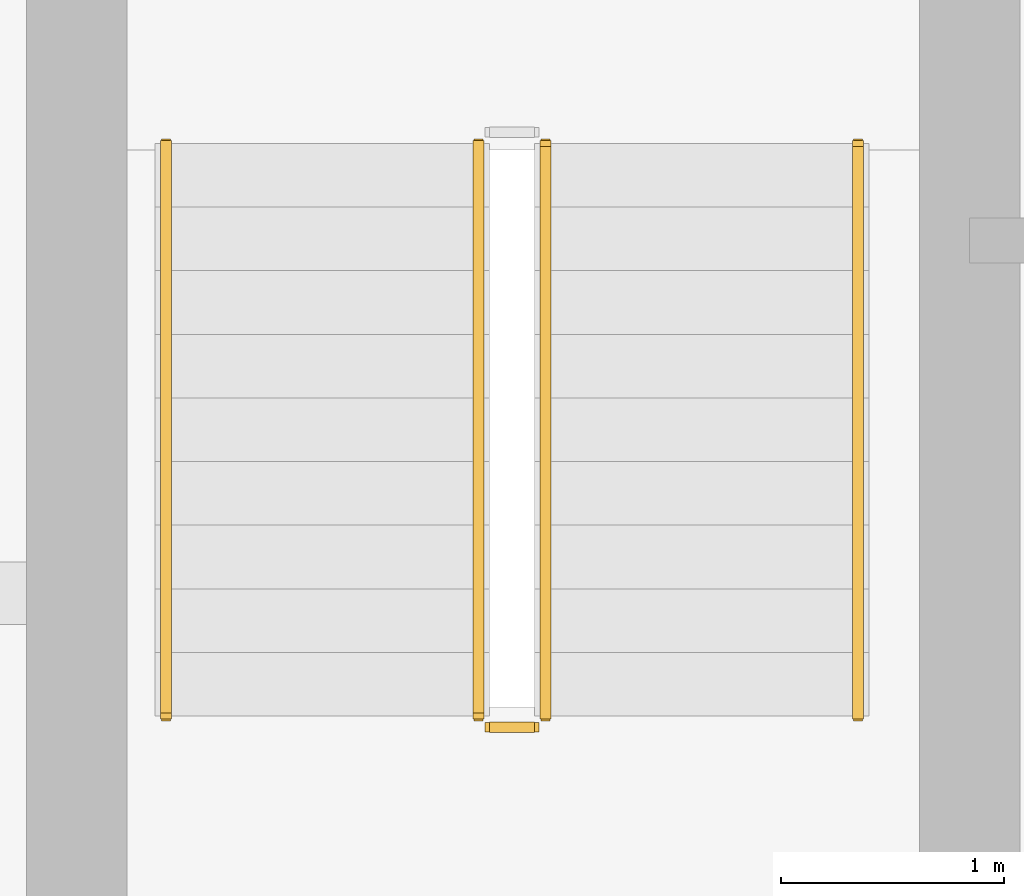
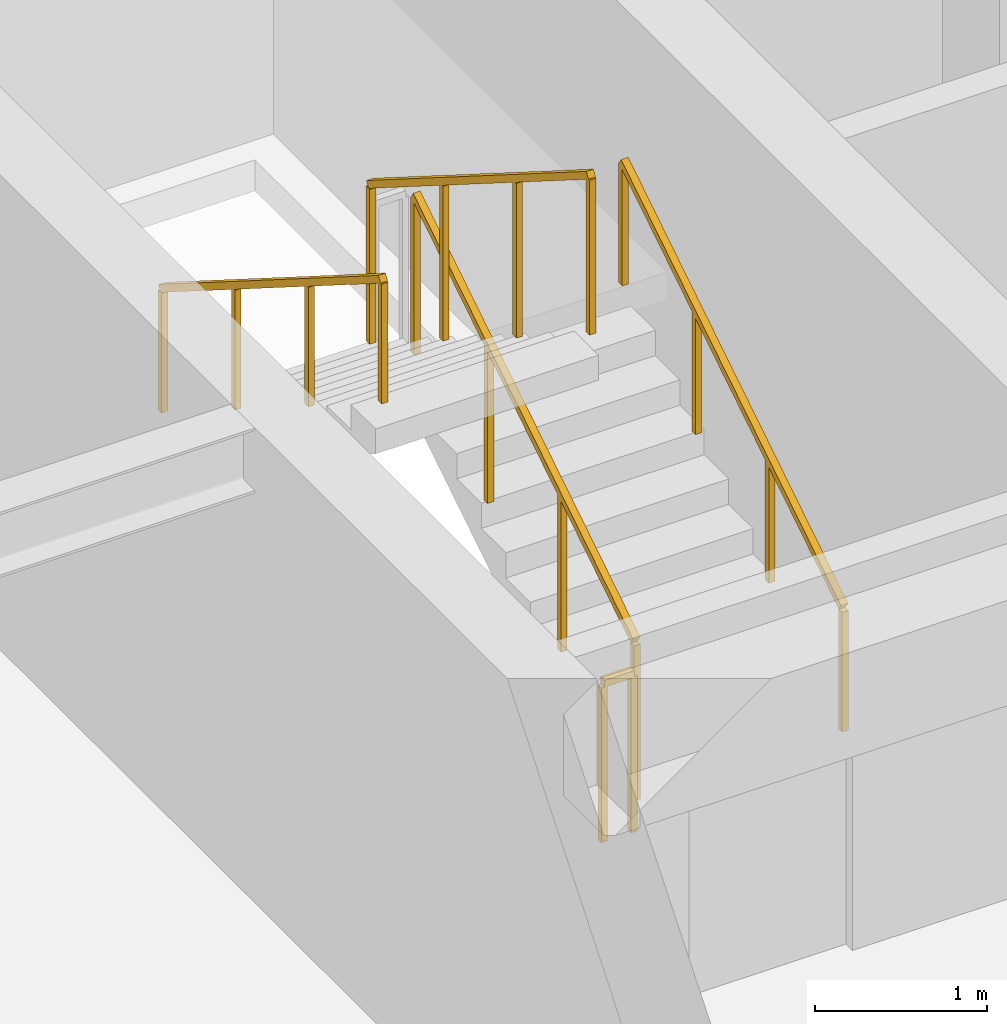
# One storey, part 26 of 28: 5 railings.
"""IFC4 building model written with IfcOpenShell, lengths in metres."""

import ifcopenshell
import ifcopenshell.guid

model = None  # the IFC model being written
_history = None  # IfcOwnerHistory: only IFC2X3 demands one
_inside = {}  # id of a spatial element -> (the spatial element, [elements in it])
_under = {}  # id of a project, library or spatial element -> (it, [spatial elements below it])
_declared = {}  # id of a project -> (the project, [libraries it declares])
_typed = {}  # id of a type object -> (the type object, [elements of that type])
_made_of = {}  # id of a material, layer set ... -> (it, [elements and type objects made of it])


def new_model(schema):
    """Start an empty IFC model of exactly this schema.

    Asked for "IFC4X3", IfcOpenShell would pick the latest addendum, in which some entities
    have other attributes; the version numbers below select the first issue.
    IFC2X3 requires an IfcOwnerHistory on every rooted entity: one is made here for all.
    """
    global model, _history
    if schema == "IFC4X3":
        model = ifcopenshell.file(schema_version=(4, 3, 0, 0))
    else:
        model = ifcopenshell.file(schema=schema)
    _inside.clear()
    _under.clear()
    _declared.clear()
    _typed.clear()
    _made_of.clear()
    _history = None
    if model.schema == "IFC2X3":
        org = make("IfcOrganization", Name="unknown")
        user = make(
            "IfcPersonAndOrganization",
            ThePerson=make("IfcPerson", FamilyName="unknown"),
            TheOrganization=org,
        )
        app = make(
            "IfcApplication",
            ApplicationDeveloper=org,
            Version="unknown",
            ApplicationFullName="unknown",
            ApplicationIdentifier="unknown",
        )
        _history = make(
            "IfcOwnerHistory",
            OwningUser=user,
            OwningApplication=app,
            ChangeAction="ADDED",
            CreationDate=0,
        )
    return model


def make(cls, **values):
    """One entity of the class cls with the attributes given. An attribute that is None is left unset."""
    return model.create_entity(
        cls, **{name: value for name, value in values.items() if value is not None}
    )


def rooted(cls, **values):
    """An entity with a GlobalId (a new one), such as an element, a storey or a relation."""
    return make(cls, GlobalId=ifcopenshell.guid.new(), OwnerHistory=_history, **values)


def si_unit(unit_type, name, prefix=None):
    """IfcSIUnit, for example si_unit("LENGTHUNIT", "METRE", prefix="MILLI")."""
    return make("IfcSIUnit", UnitType=unit_type, Prefix=prefix, Name=name)


def assignment(units):
    """IfcUnitAssignment: the units of a project."""
    return None if units is None else make("IfcUnitAssignment", Units=units)


def point(xyz):
    """IfcCartesianPoint."""
    return None if xyz is None else make("IfcCartesianPoint", Coordinates=xyz)


def direction(xyz):
    """IfcDirection."""
    return None if xyz is None else make("IfcDirection", DirectionRatios=xyz)


def frame(location, z_axis=None, x_axis=None):
    """IfcAxis2Placement3D, a coordinate frame: its origin and axes. An axis left out is left unset."""
    return make(
        "IfcAxis2Placement3D",
        Location=point(location),
        Axis=direction(z_axis),
        RefDirection=direction(x_axis),
    )


def frame_2d(location, x_axis=None):
    """IfcAxis2Placement2D, a coordinate frame in the plane: its origin and x axis."""
    return make(
        "IfcAxis2Placement2D", Location=point(location), RefDirection=direction(x_axis)
    )


def origin():
    """The frame at (0, 0, 0) with its axes left unset."""
    return frame((0.0, 0.0, 0.0))


def origin_2d():
    """The frame at (0, 0) in the plane with its x axis left unset."""
    return frame_2d((0.0, 0.0))


def place(relative_to, where):
    """IfcLocalPlacement: puts the frame where relative to a parent placement (None: the world)."""
    return make(
        "IfcLocalPlacement", PlacementRelTo=relative_to, RelativePlacement=where
    )


def context(
    kind, dimensions, precision=None, world=None, true_north=None, identifier=None
):
    """IfcGeometricRepresentationContext, for example the 3D "Model" context."""
    return make(
        "IfcGeometricRepresentationContext",
        ContextIdentifier=identifier,
        ContextType=kind,
        CoordinateSpaceDimension=dimensions,
        Precision=precision,
        WorldCoordinateSystem=world,
        TrueNorth=true_north,
    )


def subcontext(parent, identifier, kind, view, scale=None):
    """IfcGeometricRepresentationSubContext, for example "Body" below "Model"."""
    return make(
        "IfcGeometricRepresentationSubContext",
        ContextIdentifier=identifier,
        ContextType=kind,
        ParentContext=parent,
        TargetScale=scale,
        TargetView=view,
    )


def project(units=None, contexts=None):
    """IfcProject with its units and contexts."""
    return rooted(
        "IfcProject",
        Name="project",
        RepresentationContexts=contexts,
        UnitsInContext=assignment(units),
    )


def spatial(cls, under=None, at=None, **own):
    """A site, building, storey or space (cls), placed at a placement, below another one or the project."""
    s = rooted(cls, ObjectPlacement=at, **own)
    if under is not None:
        _under.setdefault(under.id(), (under, []))[1].append(s)
    return s


def profile(cls, at=None, kind="AREA", **sizes):
    """A parametric profile (cls). Its sizes go by their IFC names, for example OverallWidth=200.0."""
    return make(cls, ProfileType=kind, Position=at, **sizes)


def rectangle(**sizes):
    """IfcRectangleProfileDef."""
    return profile("IfcRectangleProfileDef", **sizes)


def extrude(swept, where, along, depth):
    """IfcExtrudedAreaSolid: the profile swept, set in the frame where, extruded along a direction by depth."""
    return make(
        "IfcExtrudedAreaSolid",
        SweptArea=swept,
        Position=where,
        ExtrudedDirection=direction(along),
        Depth=depth,
    )


def shape(context_of_items, identifier, shape_type, items):
    """IfcShapeRepresentation: the items that make up one representation, for example the "Body"."""
    return make(
        "IfcShapeRepresentation",
        ContextOfItems=context_of_items,
        RepresentationIdentifier=identifier,
        RepresentationType=shape_type,
        Items=items,
    )


def material(Name=None, Category=None):
    """IfcMaterial."""
    return make("IfcMaterial", Name=Name, Category=Category)


def made_of(thing, what):
    """Note that an element or type object is made of a material, layer set ...; save() writes the relation."""
    if what is not None:
        _made_of.setdefault(what.id(), (what, []))[1].append(thing)
    return thing


def type_object(cls, material=None, **own):
    """A type object (cls), such as IfcWallType, which elements share."""
    return made_of(rooted(cls, **own), material)


def element(
    cls,
    number,
    at=None,
    inside=None,
    cuts=None,
    type_object=None,
    material=None,
    context=None,
    identifier="Body",
    shape_type=None,
    held_by="IfcProductDefinitionShape",
    body=None,
    shapes=None,
    **own,
):
    """One element of the class cls, such as IfcWall. Its Tag is "e" and its number.

    at: its placement. inside: the storey or other place that contains it. cuts: it is an
    opening in that element (IfcRelVoidsElement). A single representation is given by context,
    identifier, shape_type and body (its items); several are given by shapes. held_by: the class
    of the entity that holds the representations. save() writes the other relations.
    """
    e = rooted(cls, Tag="e%d" % number, ObjectPlacement=at, **own)
    if body is not None:
        shapes = [shape(context, identifier, shape_type, body)]
    if shapes is not None:
        e.Representation = make(held_by, Representations=shapes)
    if inside is not None:
        _inside.setdefault(inside.id(), (inside, []))[1].append(e)
    if cuts is not None:
        rooted(
            "IfcRelVoidsElement", RelatingBuildingElement=cuts, RelatedOpeningElement=e
        )
    if type_object is not None:
        _typed.setdefault(type_object.id(), (type_object, []))[1].append(e)
    return made_of(e, material)


def aggregate(whole, parts):
    """IfcRelAggregates: a whole, such as a stair, and the parts it consists of."""
    return rooted("IfcRelAggregates", RelatingObject=whole, RelatedObjects=parts)


def save(model, path):
    """Write the relations noted so far, then the file.

    IfcRelAggregates (storeys below a building ...), IfcRelContainedInSpatialStructure (elements
    in a storey), IfcRelDefinesByType, IfcRelAssociatesMaterial and IfcRelDeclares: one each for
    every whole, place, type object, material and project.
    """
    for whole, parts in _under.values():
        aggregate(whole, parts)
    for where, things in _inside.values():
        rooted(
            "IfcRelContainedInSpatialStructure",
            RelatedElements=things,
            RelatingStructure=where,
        )
    for kind, things in _typed.values():
        rooted("IfcRelDefinesByType", RelatedObjects=things, RelatingType=kind)
    for what, things in _made_of.values():
        rooted("IfcRelAssociatesMaterial", RelatedObjects=things, RelatingMaterial=what)
    for by, libraries in _declared.values():
        rooted("IfcRelDeclares", RelatingContext=by, RelatedDefinitions=libraries)
    model.write(path)


model = new_model("IFC4")

# Units and contexts
model_context = context("Model", 3, precision=1e-05, world=origin(), true_north=direction((0.0, 1.0)))
body_context = subcontext(model_context, "Body", "Model", "MODEL_VIEW")
ifc_project = project(units=[si_unit("LENGTHUNIT", "METRE"), si_unit("AREAUNIT", "SQUARE_METRE"), si_unit("VOLUMEUNIT", "CUBIC_METRE"), si_unit("PLANEANGLEUNIT", "RADIAN"), si_unit("MASSUNIT", "GRAM", prefix="KILO")], contexts=[model_context])

# Site, building, storey
site_placement = place(None, origin())
site = spatial("IfcSite", under=ifc_project, at=site_placement, CompositionType="ELEMENT")
building_placement = place(site_placement, origin())
building = spatial("IfcBuilding", under=site, at=building_placement, Name="Sarneth Arch Tower", CompositionType="ELEMENT")
storey_placement = place(building_placement, frame((0.0, 0.0, 183.0)))
storey = spatial("IfcBuildingStorey", under=building, at=storey_placement, Name="L46", CompositionType="ELEMENT", Elevation=183.0)

# Railings
ifc_material_1 = material(Name="Brushed Stainless Steel 304 tubular handrail", Category="steel")
railing_type_1 = type_object("IfcRailingType", Name="RAIL-HANDRAIL-900", PredefinedType="HANDRAIL", material=ifc_material_1)
railing_1_placement = place(storey_placement, frame((40.5, 41.449951171875, 0.179931640625)))
element("IfcRailing", 1, at=railing_1_placement, inside=storey, type_object=railing_type_1, Name="L46 ST-1 stair handrail 1", PredefinedType="HANDRAIL", context=body_context, shape_type="SweptSolid", body=[
    extrude(rectangle(XDim=0.048095703125, YDim=0.048095703125, at=origin_2d()), frame((0.0, 0.0, 0.8759765625), z_axis=(0.0, 0.845465955043, 0.534029323973), x_axis=(-1.0, 0.0, 0.0)), (0.0, 0.0, 1.0), 3.03369140625),
    extrude(rectangle(XDim=0.0419921875, YDim=0.0419921875, at=origin_2d()), origin(), (0.0, 0.0, 1.0), 0.851806640625),
    extrude(rectangle(XDim=0.0419921875, YDim=0.0419921875, at=origin_2d()), frame((0.0, 0.85498046875, 0.5400390625)), (0.0, 0.0, 1.0), 0.851806640625),
    extrude(rectangle(XDim=0.0419921875, YDim=0.0419921875, at=origin_2d()), frame((0.0, 1.7099609375, 1.080078125)), (0.0, 0.0, 1.0), 0.851806640625),
    extrude(rectangle(XDim=0.0419921875, YDim=0.0419921875, at=origin_2d()), frame((0.0, 2.56494140625, 1.6201171875)), (0.0, 0.0, 1.0), 0.851806640625),
])
railing_2_placement = place(storey_placement, frame((37.39990234375, 44.014892578125, 1.97998046875)))
element("IfcRailing", 2, at=railing_2_placement, inside=storey, type_object=railing_type_1, Name="L46 ST-1 stair handrail 2", PredefinedType="HANDRAIL", context=body_context, shape_type="SweptSolid", body=[
    extrude(rectangle(XDim=0.048095703125, YDim=0.048095703125, at=origin_2d()), frame((0.0, 0.0, 0.8759765625), z_axis=(0.0, -0.845465955043, 0.534029323973), x_axis=(1.0, 0.0, 0.0)), (0.0, 0.0, 1.0), 3.03369140625),
    extrude(rectangle(XDim=0.0419921875, YDim=0.0419921875, at=origin_2d()), origin(), (0.0, 0.0, 1.0), 0.851806640625),
    extrude(rectangle(XDim=0.0419921875, YDim=0.0419921875, at=origin_2d()), frame((0.0, -0.85498046875, 0.5400390625)), (0.0, 0.0, 1.0), 0.851806640625),
    extrude(rectangle(XDim=0.0419921875, YDim=0.0419921875, at=origin_2d()), frame((0.0, -1.7099609375, 1.080078125)), (0.0, 0.0, 1.0), 0.851806640625),
    extrude(rectangle(XDim=0.0419921875, YDim=0.0419921875, at=origin_2d()), frame((0.0, -2.56494140625, 1.6201171875)), (0.0, 0.0, 1.0), 0.851806640625),
])
ifc_material_2 = material(Name="Painted Steel S275 stair well guard", Category="steel")
railing_type_2 = type_object("IfcRailingType", Name="RAIL-STAIR-GUARD", PredefinedType="GUARDRAIL", material=ifc_material_2)
railing_3_placement = place(storey_placement, frame((39.10009765625, 41.449951171875, 0.179931640625)))
element("IfcRailing", 3, at=railing_3_placement, inside=storey, type_object=railing_type_2, Name="L46 ST-1 stair guard 1", PredefinedType="GUARDRAIL", context=body_context, shape_type="SweptSolid", body=[
    extrude(rectangle(XDim=0.048095703125, YDim=0.048095703125, at=origin_2d()), frame((0.0, 0.0, 1.1259765625), z_axis=(0.0, 0.845465955043, 0.534029323973), x_axis=(-1.0, 0.0, 0.0)), (0.0, 0.0, 1.0), 3.03369140625),
    extrude(rectangle(XDim=0.0419921875, YDim=0.0419921875, at=origin_2d()), origin(), (0.0, 0.0, 1.0), 1.101806640625),
    extrude(rectangle(XDim=0.0419921875, YDim=0.0419921875, at=origin_2d()), frame((0.0, 0.85498046875, 0.5400390625)), (0.0, 0.0, 1.0), 1.101806640625),
    extrude(rectangle(XDim=0.0419921875, YDim=0.0419921875, at=origin_2d()), frame((0.0, 1.7099609375, 1.080078125)), (0.0, 0.0, 1.0), 1.101806640625),
    extrude(rectangle(XDim=0.0419921875, YDim=0.0419921875, at=origin_2d()), frame((0.0, 2.56494140625, 1.6201171875)), (0.0, 0.0, 1.0), 1.101806640625),
])
railing_4_placement = place(storey_placement, frame((38.800048828125, 44.014892578125, 1.97998046875)))
element("IfcRailing", 4, at=railing_4_placement, inside=storey, type_object=railing_type_2, Name="L46 ST-1 stair guard 3", PredefinedType="GUARDRAIL", context=body_context, shape_type="SweptSolid", body=[
    extrude(rectangle(XDim=0.048095703125, YDim=0.048095703125, at=origin_2d()), frame((0.0, 0.0, 1.1259765625), z_axis=(0.0, -0.845465955043, 0.534029323973), x_axis=(1.0, 0.0, 0.0)), (0.0, 0.0, 1.0), 3.03369140625),
    extrude(rectangle(XDim=0.0419921875, YDim=0.0419921875, at=origin_2d()), origin(), (0.0, 0.0, 1.0), 1.101806640625),
    extrude(rectangle(XDim=0.0419921875, YDim=0.0419921875, at=origin_2d()), frame((0.0, -0.85498046875, 0.5400390625)), (0.0, 0.0, 1.0), 1.101806640625),
    extrude(rectangle(XDim=0.0419921875, YDim=0.0419921875, at=origin_2d()), frame((0.0, -1.7099609375, 1.080078125)), (0.0, 0.0, 1.0), 1.101806640625),
    extrude(rectangle(XDim=0.0419921875, YDim=0.0419921875, at=origin_2d()), frame((0.0, -2.56494140625, 1.6201171875)), (0.0, 0.0, 1.0), 1.101806640625),
])
railing_5_placement = place(storey_placement, frame((39.050048828125, 41.39990234375, 0.0)))
element("IfcRailing", 5, at=railing_5_placement, inside=storey, type_object=railing_type_2, Name="L46 ST-1 stair guard 4", PredefinedType="GUARDRAIL", context=body_context, shape_type="SweptSolid", body=[
    extrude(rectangle(XDim=0.048095703125, YDim=0.048095703125, at=origin_2d()), frame((0.0, 0.0, 1.1259765625), z_axis=(-1.0, 0.0, 0.0), x_axis=(0.0, -1.0, 0.0)), (0.0, 0.0, 1.0), 0.199951171875),
    extrude(rectangle(XDim=0.0419921875, YDim=0.0419921875, at=origin_2d()), origin(), (0.0, 0.0, 1.0), 1.101806640625),
    extrude(rectangle(XDim=0.0419921875, YDim=0.0419921875, at=origin_2d()), frame((-0.199951171875, 0.0, 0.0)), (0.0, 0.0, 1.0), 1.101806640625),
])

save(model, "model.ifc")
